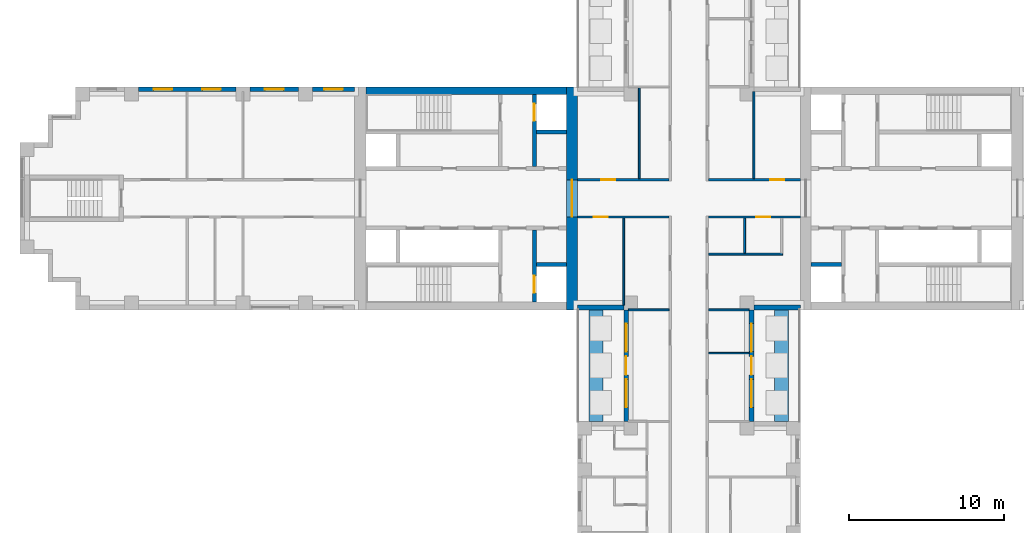
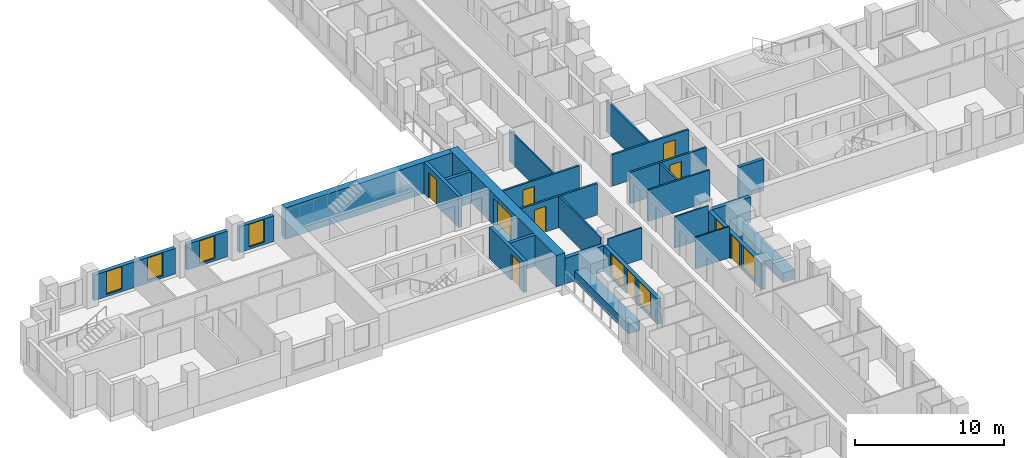
# One storey, part 7 of 15: 28 walls, 9 doors, 8 windows, 17 openings.
"""IFC4 building model written with IfcOpenShell, lengths in metres."""

from ifc_helpers import new_model, si_unit, direction, frame, frame_2d, origin, place, context, subcontext, project, spatial, rectangle, extrude, material, layer, layer_set, type_object, element, fill, save


model = new_model("IFC4")

# Units and contexts
model_context = context("Model", 3, precision=1e-05, world=origin(), true_north=direction((0.0, 1.0)))
body_context = subcontext(model_context, "Body", "Model", "MODEL_VIEW")
ifc_project = project(units=[si_unit("LENGTHUNIT", "METRE"), si_unit("AREAUNIT", "SQUARE_METRE"), si_unit("VOLUMEUNIT", "CUBIC_METRE"), si_unit("PLANEANGLEUNIT", "RADIAN"), si_unit("MASSUNIT", "GRAM", prefix="KILO")], contexts=[model_context])

# Site, building, storey
site_placement = place(None, origin())
site = spatial("IfcSite", under=ifc_project, at=site_placement, CompositionType="ELEMENT")
building_placement = place(site_placement, origin())
building = spatial("IfcBuilding", under=site, at=building_placement, Name="Fustian Cross Tower", CompositionType="ELEMENT")
storey_placement = place(building_placement, frame((0.0, 0.0, 14.699951171875)))
storey = spatial("IfcBuildingStorey", under=building, at=storey_placement, Name="L03", CompositionType="ELEMENT", Elevation=14.699951171875)

# Wall, opening, door
ifc_material_1 = material(Name="Plasterboard on steel stud", Category="steel")
ifc_layer_1 = layer(ifc_material_1, 0.14990234375)
ifc_layer_set_1 = layer_set([ifc_layer_1], Name="Plasterboard on steel stud")
wall_type_1 = type_object("IfcWallType", Name="COMPARTMENT WALL 150 EI 60", PredefinedType="PARTITIONING", material=ifc_layer_set_1)
wall_1_placement = place(storey_placement, frame((-7.199951171875, -1.199951171875, 0.0), z_axis=(0.0, 0.0, 1.0), x_axis=(1.0, 0.0, 0.0)))
wall_1 = element("IfcWall", 1, at=wall_1_placement, inside=storey, type_object=wall_type_1, Name="Partition 8", PredefinedType="PARTITIONING", context=body_context, shape_type="SweptSolid", body=[
    extrude(rectangle(XDim=5.925048828125, YDim=0.14990234375, at=frame_2d((2.96240234375, 0.0))), origin(), (0.0, 0.0, 1.0), 2.574951171875),
])
opening_1_placement = place(wall_1_placement, frame((1.050048828125, 0.0, 0.0)))
opening_1 = element("IfcOpeningElement", 2, at=opening_1_placement, cuts=wall_1, Name="Opening D04009", PredefinedType="OPENING", context=body_context, shape_type="SweptSolid", body=[
    extrude(rectangle(XDim=0.89990234375, YDim=2.10009765625, at=frame_2d((0.449951171875, 1.050048828125))), frame((0.0, 0.0849609375, 0.0), z_axis=(0.0, -1.0, 0.0), x_axis=(1.0, 0.0, 0.0)), (0.0, 0.0, 1.0), 0.169921875),
])
ifc_material_2 = material(Name="Timber fire door set", Category="wood")
door_type_1 = type_object("IfcDoorType", Name="FIRE SWING DOOR 900 FD30S", OperationType="SINGLE_SWING_LEFT", PredefinedType="DOOR", material=ifc_material_2)
door_1_placement = place(opening_1_placement, frame((0.89990234375, 0.0, 0.0), z_axis=(0.0, 0.0, 1.0), x_axis=(-1.0, 0.0, 0.0)))
door_1 = element("IfcDoor", 3, at=door_1_placement, inside=storey, type_object=door_type_1, Name="Door D04009", OperationType="SINGLE_SWING_LEFT", OverallHeight=2.10009765625, OverallWidth=0.89990234375, PredefinedType="DOOR", context=body_context, shape_type="SweptSolid", body=[
    extrude(rectangle(XDim=0.89990234375, YDim=2.10009765625, at=frame_2d((0.449951171875, 1.050048828125))), frame((0.0, 0.02490234375, 0.0), z_axis=(0.0, -1.0, 0.0), x_axis=(1.0, 0.0, 0.0)), (0.0, 0.0, 1.0), 0.050048828125),
])
fill(opening_1, door_1)

wall_2_placement = place(storey_placement, frame((-7.199951171875, 1.199951171875, 0.0), z_axis=(0.0, 0.0, 1.0), x_axis=(1.0, 0.0, 0.0)))
wall_2 = element("IfcWall", 4, at=wall_2_placement, inside=storey, type_object=wall_type_1, Name="Partition 9", PredefinedType="PARTITIONING", context=body_context, shape_type="SweptSolid", body=[
    extrude(rectangle(XDim=5.925048828125, YDim=0.14990234375, at=frame_2d((2.96240234375, 0.0))), origin(), (0.0, 0.0, 1.0), 2.574951171875),
])
opening_2_placement = place(wall_2_placement, frame((1.550048828125, 0.0, 0.0)))
opening_2 = element("IfcOpeningElement", 5, at=opening_2_placement, cuts=wall_2, Name="Opening D04004", PredefinedType="OPENING", context=body_context, shape_type="SweptSolid", body=[
    extrude(rectangle(XDim=0.89990234375, YDim=2.10009765625, at=frame_2d((0.449951171875, 1.050048828125))), frame((0.0, 0.0849609375, 0.0), z_axis=(0.0, -1.0, 0.0), x_axis=(1.0, 0.0, 0.0)), (0.0, 0.0, 1.0), 0.169921875),
])
door_2_placement = place(opening_2_placement, origin())
door_2 = element("IfcDoor", 6, at=door_2_placement, inside=storey, type_object=door_type_1, Name="Door D04004", OperationType="SINGLE_SWING_LEFT", OverallHeight=2.10009765625, OverallWidth=0.89990234375, PredefinedType="DOOR", context=body_context, shape_type="SweptSolid", body=[
    extrude(rectangle(XDim=0.89990234375, YDim=2.10009765625, at=frame_2d((0.449951171875, 1.050048828125))), frame((0.0, 0.02490234375, 0.0), z_axis=(0.0, -1.0, 0.0), x_axis=(1.0, 0.0, 0.0)), (0.0, 0.0, 1.0), 0.050048828125),
])
fill(opening_2, door_2)

wall_3_placement = place(storey_placement, frame((1.27490234375, -1.199951171875, 0.0), z_axis=(0.0, 0.0, 1.0), x_axis=(1.0, 0.0, 0.0)))
wall_3 = element("IfcWall", 7, at=wall_3_placement, inside=storey, type_object=wall_type_1, Name="Partition 63", PredefinedType="PARTITIONING", context=body_context, shape_type="SweptSolid", body=[
    extrude(rectangle(XDim=5.925048828125, YDim=0.14990234375, at=frame_2d((2.96240234375, 0.0))), origin(), (0.0, 0.0, 1.0), 2.574951171875),
])
opening_3_placement = place(wall_3_placement, frame((3.074951171875, 0.0, 0.0)))
opening_3 = element("IfcOpeningElement", 8, at=opening_3_placement, cuts=wall_3, Name="Opening D04006", PredefinedType="OPENING", context=body_context, shape_type="SweptSolid", body=[
    extrude(rectangle(XDim=0.89990234375, YDim=2.10009765625, at=frame_2d((0.449951171875, 1.050048828125))), frame((0.0, 0.0849609375, 0.0), z_axis=(0.0, -1.0, 0.0), x_axis=(1.0, 0.0, 0.0)), (0.0, 0.0, 1.0), 0.169921875),
])
door_3_placement = place(opening_3_placement, frame((0.89990234375, 0.0, 0.0), z_axis=(0.0, 0.0, 1.0), x_axis=(-1.0, 0.0, 0.0)))
door_3 = element("IfcDoor", 9, at=door_3_placement, inside=storey, type_object=door_type_1, Name="Door D04006", OperationType="SINGLE_SWING_RIGHT", OverallHeight=2.10009765625, OverallWidth=0.89990234375, PredefinedType="DOOR", context=body_context, shape_type="SweptSolid", body=[
    extrude(rectangle(XDim=0.89990234375, YDim=2.10009765625, at=frame_2d((0.449951171875, 1.050048828125))), frame((0.0, 0.02490234375, 0.0), z_axis=(0.0, -1.0, 0.0), x_axis=(1.0, 0.0, 0.0)), (0.0, 0.0, 1.0), 0.050048828125),
])
fill(opening_3, door_3)

wall_4_placement = place(storey_placement, frame((1.27490234375, 1.199951171875, 0.0), z_axis=(0.0, 0.0, 1.0), x_axis=(1.0, 0.0, 0.0)))
wall_4 = element("IfcWall", 10, at=wall_4_placement, inside=storey, type_object=wall_type_1, Name="Partition 65", PredefinedType="PARTITIONING", context=body_context, shape_type="SweptSolid", body=[
    extrude(rectangle(XDim=5.925048828125, YDim=0.14990234375, at=frame_2d((2.96240234375, 0.0))), origin(), (0.0, 0.0, 1.0), 2.574951171875),
])
opening_4_placement = place(wall_4_placement, frame((3.97509765625, 0.0, 0.0)))
opening_4 = element("IfcOpeningElement", 11, at=opening_4_placement, cuts=wall_4, Name="Opening D04002", PredefinedType="OPENING", context=body_context, shape_type="SweptSolid", body=[
    extrude(rectangle(XDim=0.89990234375, YDim=2.10009765625, at=frame_2d((0.449951171875, 1.050048828125))), frame((0.0, 0.0849609375, 0.0), z_axis=(0.0, -1.0, 0.0), x_axis=(1.0, 0.0, 0.0)), (0.0, 0.0, 1.0), 0.169921875),
])
door_4_placement = place(opening_4_placement, origin())
door_4 = element("IfcDoor", 12, at=door_4_placement, inside=storey, type_object=door_type_1, Name="Door D04002", OperationType="SINGLE_SWING_RIGHT", OverallHeight=2.10009765625, OverallWidth=0.89990234375, PredefinedType="DOOR", context=body_context, shape_type="SweptSolid", body=[
    extrude(rectangle(XDim=0.89990234375, YDim=2.10009765625, at=frame_2d((0.449951171875, 1.050048828125))), frame((0.0, 0.02490234375, 0.0), z_axis=(0.0, -1.0, 0.0), x_axis=(1.0, 0.0, 0.0)), (0.0, 0.0, 1.0), 0.050048828125),
])
fill(opening_4, door_4)

ifc_material_3 = material(Name="Concrete C80/95", Category="concrete")
ifc_layer_2 = layer(ifc_material_3, 0.699951171875)
ifc_layer_set_2 = layer_set([ifc_layer_2], Name="Concrete C80/95")
wall_type_2 = type_object("IfcWallType", Name="CORE END WALL 700 C80/95", PredefinedType="SHEAR", material=ifc_layer_set_2)
wall_5_placement = place(storey_placement, frame((-7.550048828125, -7.199951171875, 0.0), z_axis=(0.0, 0.0, 1.0), x_axis=(0.0, 1.0, 0.0)))
wall_5 = element("IfcWall", 13, at=wall_5_placement, inside=storey, type_object=wall_type_2, Name="Core end wall", PredefinedType="SHEAR", context=body_context, shape_type="SweptSolid", body=[
    extrude(rectangle(XDim=14.39990234375, YDim=0.699951171875, at=frame_2d((7.199951171875, 0.0))), origin(), (0.0, 0.0, 1.0), 2.574951171875),
])
opening_5_placement = place(wall_5_placement, frame((6.0, 0.0, 0.0)))
opening_5 = element("IfcOpeningElement", 14, at=opening_5_placement, cuts=wall_5, Name="Opening CD-04-26", PredefinedType="OPENING", context=body_context, shape_type="SweptSolid", body=[
    extrude(rectangle(XDim=2.39990234375, YDim=2.199951171875, at=frame_2d((1.199951171875, 1.10009765625))), frame((0.0, 0.35986328125, 0.0), z_axis=(0.0, -1.0, 0.0), x_axis=(1.0, 0.0, 0.0)), (0.0, 0.0, 1.0), 0.719970703125),
])
ifc_material_4 = material(Name="Steel", Category="steel")
door_type_2 = type_object("IfcDoorType", Name="FIRE DOOR FD30S DOUBLE 2400X2200", OperationType="DOUBLE_DOOR_DOUBLE_SWING", PredefinedType="DOOR", material=ifc_material_4)
door_5_placement = place(opening_5_placement, origin())
door_5 = element("IfcDoor", 15, at=door_5_placement, inside=storey, type_object=door_type_2, Name="Core door CD-04-26", OperationType="DOUBLE_DOOR_DOUBLE_SWING", OverallHeight=2.199951171875, OverallWidth=2.39990234375, PredefinedType="DOOR", context=body_context, shape_type="SweptSolid", body=[
    extrude(rectangle(XDim=2.39990234375, YDim=2.199951171875, at=frame_2d((1.199951171875, 1.10009765625))), frame((0.0, 0.02490234375, 0.0), z_axis=(0.0, -1.0, 0.0), x_axis=(1.0, 0.0, 0.0)), (0.0, 0.0, 1.0), 0.050048828125),
])
fill(opening_5, door_5)

# Walls
ifc_material_5 = material(Name="Concrete C80/95", Category="concrete")
ifc_layer_3 = layer(ifc_material_5, 0.5)
ifc_layer_set_3 = layer_set([ifc_layer_3], Name="Concrete C80/95")
wall_type_3 = type_object("IfcWallType", Name="CORE FACADE WALL 500 C80/95", PredefinedType="SHEAR", material=ifc_layer_set_3)
wall_6_placement = place(storey_placement, frame((-7.89990234375, 6.949951171875, 0.0), z_axis=(0.0, 0.0, 1.0), x_axis=(-1.0, 0.0, 0.0)))
element("IfcWall", 16, at=wall_6_placement, inside=storey, type_object=wall_type_3, Name="Core facade wall", PredefinedType="SHEAR", context=body_context, shape_type="SweptSolid", body=[
    extrude(rectangle(XDim=12.9501953125, YDim=0.5, at=frame_2d((6.47509765625, 0.0))), origin(), (0.0, 0.0, 1.0), 2.574951171875),
])
ifc_material_6 = material(Name="Concrete C50/60", Category="concrete")
ifc_layer_4 = layer(ifc_material_6, 0.25)
ifc_layer_set_4 = layer_set([ifc_layer_4], Name="Concrete C50/60")
wall_type_4 = type_object("IfcWallType", Name="CORE SHAFT WALL 250 C50/60", PredefinedType="SHEAR", material=ifc_layer_set_4)
for number, where, z_axis, x_axis, name in (
    (17, (7.89990234375, -4.27490234375, 0.0), (0.0, 0.0, 1.0), (1.0, 0.0, 0.0), "Core shaft wall"),
    (18, (-7.89990234375, 4.27490234375, 0.0), (0.0, 0.0, 1.0), (-1.0, 0.0, 0.0), "Core shaft wall"),
):
    element("IfcWall", number, at=place(storey_placement, frame(where, z_axis=z_axis, x_axis=x_axis)), inside=storey, type_object=wall_type_4, Name=name, PredefinedType="SHEAR", context=body_context, shape_type="SweptSolid", body=[
        extrude(rectangle(XDim=1.9501953125, YDim=0.25, at=frame_2d((0.97509765625, 0.0))), origin(), (0.0, 0.0, 1.0), 2.574951171875),
    ])

# Wall, opening, door
wall_7_placement = place(storey_placement, frame((-9.97509765625, 2.050048828125, 0.0), z_axis=(0.0, 0.0, 1.0), x_axis=(0.0, 1.0, 0.0)))
wall_7 = element("IfcWall", 19, at=wall_7_placement, inside=storey, type_object=wall_type_4, Name="Core shaft wall", PredefinedType="SHEAR", context=body_context, shape_type="SweptSolid", body=[
    extrude(rectangle(XDim=4.64990234375, YDim=0.25, at=frame_2d((2.324951171875, 0.0))), origin(), (0.0, 0.0, 1.0), 2.574951171875),
])
opening_6_placement = place(wall_7_placement, frame((2.949951171875, 0.0, 0.0)))
opening_6 = element("IfcOpeningElement", 20, at=opening_6_placement, cuts=wall_7, Name="Opening LD", PredefinedType="OPENING", context=body_context, shape_type="SweptSolid", body=[
    extrude(rectangle(XDim=1.10009765625, YDim=2.10009765625, at=frame_2d((0.550048828125, 1.050048828125))), frame((0.0, 0.135009765625, 0.0), z_axis=(0.0, -1.0, 0.0), x_axis=(1.0, 0.0, 0.0)), (0.0, 0.0, 1.0), 0.27001953125),
])
ifc_material_7 = material(Name="Stainless steel", Category="steel")
door_type_3 = type_object("IfcDoorType", Name="LIFT LANDING DOOR 1100X2100", OperationType="SLIDING_TO_LEFT", PredefinedType="DOOR", material=ifc_material_7)
door_6_placement = place(opening_6_placement, origin())
door_6 = element("IfcDoor", 21, at=door_6_placement, inside=storey, type_object=door_type_3, Name="Landing door FL1W", OperationType="SLIDING_TO_LEFT", OverallHeight=2.10009765625, OverallWidth=1.10009765625, PredefinedType="DOOR", context=body_context, shape_type="SweptSolid", body=[
    extrude(rectangle(XDim=1.10009765625, YDim=2.10009765625, at=frame_2d((0.550048828125, 1.050048828125))), frame((0.0, 0.02490234375, 0.0), z_axis=(0.0, -1.0, 0.0), x_axis=(1.0, 0.0, 0.0)), (0.0, 0.0, 1.0), 0.050048828125),
])
fill(opening_6, door_6)

# Wall
wall_8_placement = place(storey_placement, frame((-7.89990234375, -4.27490234375, 0.0), z_axis=(0.0, 0.0, 1.0), x_axis=(-1.0, 0.0, 0.0)))
element("IfcWall", 22, at=wall_8_placement, inside=storey, type_object=wall_type_4, Name="Core shaft wall", PredefinedType="SHEAR", context=body_context, shape_type="SweptSolid", body=[
    extrude(rectangle(XDim=1.9501953125, YDim=0.25, at=frame_2d((0.97509765625, 0.0))), origin(), (0.0, 0.0, 1.0), 2.574951171875),
])

# Wall, opening, door
wall_9_placement = place(storey_placement, frame((-9.97509765625, -2.050048828125, 0.0), z_axis=(0.0, 0.0, 1.0), x_axis=(0.0, -1.0, 0.0)))
wall_9 = element("IfcWall", 23, at=wall_9_placement, inside=storey, type_object=wall_type_4, Name="Core shaft wall", PredefinedType="SHEAR", context=body_context, shape_type="SweptSolid", body=[
    extrude(rectangle(XDim=4.64990234375, YDim=0.25, at=frame_2d((2.324951171875, 0.0))), origin(), (0.0, 0.0, 1.0), 2.574951171875),
])
opening_7_placement = place(wall_9_placement, frame((2.949951171875, 0.0, 0.0)))
opening_7 = element("IfcOpeningElement", 24, at=opening_7_placement, cuts=wall_9, Name="Opening LD", PredefinedType="OPENING", context=body_context, shape_type="SweptSolid", body=[
    extrude(rectangle(XDim=1.10009765625, YDim=2.10009765625, at=frame_2d((0.550048828125, 1.050048828125))), frame((0.0, 0.135009765625, 0.0), z_axis=(0.0, -1.0, 0.0), x_axis=(1.0, 0.0, 0.0)), (0.0, 0.0, 1.0), 0.27001953125),
])
door_7_placement = place(opening_7_placement, origin())
door_7 = element("IfcDoor", 25, at=door_7_placement, inside=storey, type_object=door_type_3, Name="Landing door SV1W", OperationType="SLIDING_TO_LEFT", OverallHeight=2.10009765625, OverallWidth=1.10009765625, PredefinedType="DOOR", context=body_context, shape_type="SweptSolid", body=[
    extrude(rectangle(XDim=1.10009765625, YDim=2.10009765625, at=frame_2d((0.550048828125, 1.050048828125))), frame((0.0, 0.02490234375, 0.0), z_axis=(0.0, -1.0, 0.0), x_axis=(1.0, 0.0, 0.0)), (0.0, 0.0, 1.0), 0.050048828125),
])
fill(opening_7, door_7)

# Walls
ifc_material_8 = material(Name="Plasterboard on steel stud", Category="steel")
ifc_layer_5 = layer(ifc_material_8, 0.10009765625)
ifc_layer_set_5 = layer_set([ifc_layer_5], Name="Plasterboard on steel stud")
wall_type_5 = type_object("IfcWallType", Name="PARTITION 100 STUD", PredefinedType="PARTITIONING", material=ifc_layer_set_5)
wall_10_placement = place(storey_placement, frame((-3.199951171875, 1.27490234375, 0.0), z_axis=(0.0, 0.0, 1.0), x_axis=(0.0, 1.0, 0.0)))
element("IfcWall", 26, at=wall_10_placement, inside=storey, type_object=wall_type_5, Name="Partition 49", PredefinedType="PARTITIONING", context=body_context, shape_type="SweptSolid", body=[
    extrude(rectangle(XDim=5.875, YDim=0.10009765625, at=frame_2d((2.9375, 0.0))), origin(), (0.0, 0.0, 1.0), 2.574951171875),
])
wall_11_placement = place(storey_placement, frame((1.27490234375, -10.0, 0.0), z_axis=(0.0, 0.0, 1.0), x_axis=(1.0, 0.0, 0.0)))
element("IfcWall", 27, at=wall_11_placement, inside=storey, type_object=wall_type_5, Name="Partition 60", PredefinedType="PARTITIONING", context=body_context, shape_type="SweptSolid", body=[
    extrude(rectangle(XDim=2.625, YDim=0.10009765625, at=frame_2d((1.3125, 0.0))), origin(), (0.0, 0.0, 1.0), 2.574951171875),
])
ifc_material_9 = material(Name="Concrete C40/50", Category="concrete")
ifc_layer_6 = layer(ifc_material_9, 0.89990234375)
ifc_layer_set_6 = layer_set([ifc_layer_6], Name="Concrete C40/50")
wall_type_6 = type_object("IfcWallType", Name="PK1 PLANTER 900", PredefinedType="PARAPET", material=ifc_layer_set_6)
for number, where, z_axis, x_axis, name in (
    (28, (6.0, -14.39990234375, 0.0), (0.0, 0.0, 1.0), (0.0, 1.0, 0.0), "PLANTER"),
    (29, (-6.0, -14.39990234375, 0.0), (0.0, 0.0, 1.0), (0.0, 1.0, 0.0), "PLANTER"),
):
    element("IfcWall", number, at=place(storey_placement, frame(where, z_axis=z_axis, x_axis=x_axis)), inside=storey, type_object=wall_type_6, Name=name, PredefinedType="PARAPET", context=body_context, shape_type="SweptSolid", body=[
        extrude(rectangle(XDim=7.199951171875, YDim=0.89990234375, at=frame_2d((3.60009765625, 0.0))), origin(), (0.0, 0.0, 1.0), 0.800048828125),
    ])
ifc_material_10 = material(Name="Plasterboard on steel stud", Category="steel")
ifc_layer_7 = layer(ifc_material_10, 0.125)
ifc_layer_set_7 = layer_set([ifc_layer_7], Name="Plasterboard on steel stud")
wall_type_7 = type_object("IfcWallType", Name="WET WALL 125 STUD", PredefinedType="PARTITIONING", material=ifc_layer_set_7)
wall_12_placement = place(storey_placement, frame((-4.199951171875, -6.89990234375, 0.0), z_axis=(0.0, 0.0, 1.0), x_axis=(0.0, 1.0, 0.0)))
element("IfcWall", 30, at=wall_12_placement, inside=storey, type_object=wall_type_7, Name="Partition 44", PredefinedType="PARTITIONING", context=body_context, shape_type="SweptSolid", body=[
    extrude(rectangle(XDim=5.625, YDim=0.125, at=frame_2d((2.8125, 0.0))), origin(), (0.0, 0.0, 1.0), 2.574951171875),
])
for number, where, z_axis, x_axis, name in (
    (31, (-3.89990234375, -7.199951171875, 0.0), (0.0, 0.0, 1.0), (1.0, 0.0, 0.0), "Partition 46"),
    (32, (1.27490234375, -7.199951171875, 0.0), (0.0, 0.0, 1.0), (1.0, 0.0, 0.0), "Partition 61"),
):
    element("IfcWall", number, at=place(storey_placement, frame(where, z_axis=z_axis, x_axis=x_axis)), inside=storey, type_object=wall_type_7, Name=name, PredefinedType="PARTITIONING", context=body_context, shape_type="SweptSolid", body=[
        extrude(rectangle(XDim=2.625, YDim=0.125, at=frame_2d((1.3125, 0.0))), origin(), (0.0, 0.0, 1.0), 2.574951171875),
    ])
wall_13_placement = place(storey_placement, frame((1.27490234375, -3.60009765625, 0.0), z_axis=(0.0, 0.0, 1.0), x_axis=(1.0, 0.0, 0.0)))
element("IfcWall", 33, at=wall_13_placement, inside=storey, type_object=wall_type_7, Name="Partition 62", PredefinedType="PARTITIONING", context=body_context, shape_type="SweptSolid", body=[
    extrude(rectangle(XDim=4.78759765625, YDim=0.125, at=frame_2d((2.393798828125, 0.0))), origin(), (0.0, 0.0, 1.0), 2.574951171875),
])
wall_14_placement = place(storey_placement, frame((3.60009765625, -3.53759765625, 0.0), z_axis=(0.0, 0.0, 1.0), x_axis=(0.0, 1.0, 0.0)))
element("IfcWall", 34, at=wall_14_placement, inside=storey, type_object=wall_type_7, Name="Partition 85", PredefinedType="PARTITIONING", context=body_context, shape_type="SweptSolid", body=[
    extrude(rectangle(XDim=2.2626953125, YDim=0.125, at=frame_2d((1.13134765625, 0.0))), origin(), (0.0, 0.0, 1.0), 2.574951171875),
])
wall_15_placement = place(storey_placement, frame((4.199951171875, 1.27490234375, 0.0), z_axis=(0.0, 0.0, 1.0), x_axis=(0.0, 1.0, 0.0)))
element("IfcWall", 35, at=wall_15_placement, inside=storey, type_object=wall_type_7, Name="Partition 86", PredefinedType="PARTITIONING", context=body_context, shape_type="SweptSolid", body=[
    extrude(rectangle(XDim=5.625, YDim=0.125, at=frame_2d((2.8125, 0.0))), origin(), (0.0, 0.0, 1.0), 2.574951171875),
])

# Wall, opening, window
ifc_material_11 = material(Name="Dark aluminium cladding on insulated backing wall", Category="aluminium")
ifc_layer_8 = layer(ifc_material_11, 0.300048828125)
ifc_layer_set_8 = layer_set([ifc_layer_8], Name="Dark aluminium cladding on insulated backing wall")
wall_type_8 = type_object("IfcWallType", Name="XW1 EXTERNAL WALL 300", PredefinedType="SOLIDWALL", material=ifc_layer_set_8)
wall_16_placement = place(storey_placement, frame((-21.60009765625, 7.050048828125, 0.0), z_axis=(0.0, 0.0, 1.0), x_axis=(-1.0, 0.0, 0.0)))
wall_16 = element("IfcWall", 36, at=wall_16_placement, inside=storey, type_object=wall_type_8, Name="External wall", PredefinedType="SOLIDWALL", context=body_context, shape_type="SweptSolid", body=[
    extrude(rectangle(XDim=2.699951171875, YDim=0.300048828125, at=frame_2d((1.35009765625, 0.0))), origin(), (0.0, 0.0, 1.0), 2.10009765625),
])
opening_8_placement = place(wall_16_placement, frame((0.75, 0.0, 0.199951171875)))
opening_8 = element("IfcOpeningElement", 37, at=opening_8_placement, cuts=wall_16, Name="Opening WN3", PredefinedType="OPENING", context=body_context, shape_type="SweptSolid", body=[
    extrude(rectangle(XDim=1.199951171875, YDim=1.85009765625, at=frame_2d((0.60009765625, 0.925048828125))), frame((0.0, 0.159912109375, 0.0), z_axis=(0.0, -1.0, 0.0), x_axis=(1.0, 0.0, 0.0)), (0.0, 0.0, 1.0), 0.320068359375),
])
ifc_material_12 = material(Name="Dark anodised aluminium and double glazing", Category="aluminium")
window_type_1 = type_object("IfcWindowType", Name="WN3 WINDOW 1200X1850", PartitioningType="SINGLE_PANEL", PredefinedType="WINDOW", material=ifc_material_12)
window_1_placement = place(opening_8_placement, origin())
window_1 = element("IfcWindow", 38, at=window_1_placement, inside=storey, type_object=window_type_1, Name="Window", OverallHeight=1.85009765625, OverallWidth=1.199951171875, PartitioningType="SINGLE_PANEL", PredefinedType="WINDOW", context=body_context, shape_type="SweptSolid", body=[
    extrude(rectangle(XDim=1.199951171875, YDim=1.85009765625, at=frame_2d((0.60009765625, 0.925048828125))), frame((0.0, 0.030029296875, 0.0), z_axis=(0.0, -1.0, 0.0), x_axis=(1.0, 0.0, 0.0)), (0.0, 0.0, 1.0), 0.06005859375),
])
fill(opening_8, window_1)

wall_17_placement = place(storey_placement, frame((-25.199951171875, 7.050048828125, 0.0), z_axis=(0.0, 0.0, 1.0), x_axis=(-1.0, 0.0, 0.0)))
wall_17 = element("IfcWall", 39, at=wall_17_placement, inside=storey, type_object=wall_type_8, Name="External wall", PredefinedType="SOLIDWALL", context=body_context, shape_type="SweptSolid", body=[
    extrude(rectangle(XDim=3.150146484375, YDim=0.300048828125, at=frame_2d((1.5751953125, 0.0))), origin(), (0.0, 0.0, 1.0), 2.10009765625),
])
opening_9_placement = place(wall_17_placement, frame((0.97509765625, 0.0, 0.199951171875)))
opening_9 = element("IfcOpeningElement", 40, at=opening_9_placement, cuts=wall_17, Name="Opening WN3", PredefinedType="OPENING", context=body_context, shape_type="SweptSolid", body=[
    extrude(rectangle(XDim=1.199951171875, YDim=1.85009765625, at=frame_2d((0.60009765625, 0.925048828125))), frame((0.0, 0.159912109375, 0.0), z_axis=(0.0, -1.0, 0.0), x_axis=(1.0, 0.0, 0.0)), (0.0, 0.0, 1.0), 0.320068359375),
])
window_2_placement = place(opening_9_placement, origin())
window_2 = element("IfcWindow", 41, at=window_2_placement, inside=storey, type_object=window_type_1, Name="Window", OverallHeight=1.85009765625, OverallWidth=1.199951171875, PartitioningType="SINGLE_PANEL", PredefinedType="WINDOW", context=body_context, shape_type="SweptSolid", body=[
    extrude(rectangle(XDim=1.199951171875, YDim=1.85009765625, at=frame_2d((0.60009765625, 0.925048828125))), frame((0.0, 0.030029296875, 0.0), z_axis=(0.0, -1.0, 0.0), x_axis=(1.0, 0.0, 0.0)), (0.0, 0.0, 1.0), 0.06005859375),
])
fill(opening_9, window_2)

# Wall, openings, windows
wall_18_placement = place(storey_placement, frame((-29.25, 7.050048828125, 0.0), z_axis=(0.0, 0.0, 1.0), x_axis=(-1.0, 0.0, 0.0)))
wall_18 = element("IfcWall", 42, at=wall_18_placement, inside=storey, type_object=wall_type_8, Name="External wall", PredefinedType="SOLIDWALL", context=body_context, shape_type="SweptSolid", body=[
    extrude(rectangle(XDim=6.300048828125, YDim=0.300048828125, at=frame_2d((3.14990234375, 0.0))), origin(), (0.0, 0.0, 1.0), 2.10009765625),
])
opening_10_placement = place(wall_18_placement, frame((0.97509765625, 0.0, 0.199951171875)))
opening_10 = element("IfcOpeningElement", 43, at=opening_10_placement, cuts=wall_18, Name="Opening WN3", PredefinedType="OPENING", context=body_context, shape_type="SweptSolid", body=[
    extrude(rectangle(XDim=1.199951171875, YDim=1.85009765625, at=frame_2d((0.60009765625, 0.925048828125))), frame((0.0, 0.159912109375, 0.0), z_axis=(0.0, -1.0, 0.0), x_axis=(1.0, 0.0, 0.0)), (0.0, 0.0, 1.0), 0.320068359375),
])
opening_11_placement = place(wall_18_placement, frame((4.125, 0.0, 0.199951171875)))
opening_11 = element("IfcOpeningElement", 44, at=opening_11_placement, cuts=wall_18, Name="Opening WN3", PredefinedType="OPENING", context=body_context, shape_type="SweptSolid", body=[
    extrude(rectangle(XDim=1.199951171875, YDim=1.85009765625, at=frame_2d((0.60009765625, 0.925048828125))), frame((0.0, 0.159912109375, 0.0), z_axis=(0.0, -1.0, 0.0), x_axis=(1.0, 0.0, 0.0)), (0.0, 0.0, 1.0), 0.320068359375),
])
window_3_placement = place(opening_10_placement, origin())
window_3 = element("IfcWindow", 45, at=window_3_placement, inside=storey, type_object=window_type_1, Name="Window", OverallHeight=1.85009765625, OverallWidth=1.199951171875, PartitioningType="SINGLE_PANEL", PredefinedType="WINDOW", context=body_context, shape_type="SweptSolid", body=[
    extrude(rectangle(XDim=1.199951171875, YDim=1.85009765625, at=frame_2d((0.60009765625, 0.925048828125))), frame((0.0, 0.030029296875, 0.0), z_axis=(0.0, -1.0, 0.0), x_axis=(1.0, 0.0, 0.0)), (0.0, 0.0, 1.0), 0.06005859375),
])
fill(opening_10, window_3)
window_4_placement = place(opening_11_placement, origin())
window_4 = element("IfcWindow", 46, at=window_4_placement, inside=storey, type_object=window_type_1, Name="Window", OverallHeight=1.85009765625, OverallWidth=1.199951171875, PartitioningType="SINGLE_PANEL", PredefinedType="WINDOW", context=body_context, shape_type="SweptSolid", body=[
    extrude(rectangle(XDim=1.199951171875, YDim=1.85009765625, at=frame_2d((0.60009765625, 0.925048828125))), frame((0.0, 0.030029296875, 0.0), z_axis=(0.0, -1.0, 0.0), x_axis=(1.0, 0.0, 0.0)), (0.0, 0.0, 1.0), 0.06005859375),
])
fill(opening_11, window_4)

# Wall
wall_19_placement = place(storey_placement, frame((-7.199951171875, -7.050048828125, 0.0), z_axis=(0.0, 0.0, 1.0), x_axis=(1.0, 0.0, 0.0)))
element("IfcWall", 47, at=wall_19_placement, inside=storey, type_object=wall_type_8, Name="External wall", PredefinedType="SOLIDWALL", context=body_context, shape_type="SweptSolid", body=[
    extrude(rectangle(XDim=3.0, YDim=0.300048828125, at=frame_2d((1.5, 0.0))), origin(), (0.0, 0.0, 1.0), 2.10009765625),
])

# Wall, openings, door, windows
wall_20_placement = place(storey_placement, frame((-4.050048828125, -7.199951171875, 0.0), z_axis=(0.0, 0.0, 1.0), x_axis=(0.0, -1.0, 0.0)))
wall_20 = element("IfcWall", 48, at=wall_20_placement, inside=storey, type_object=wall_type_8, Name="External wall", PredefinedType="SOLIDWALL", context=body_context, shape_type="SweptSolid", body=[
    extrude(rectangle(XDim=7.199951171875, YDim=0.300048828125, at=frame_2d((3.60009765625, 0.0))), origin(), (0.0, 0.0, 1.0), 2.10009765625),
])
opening_12_placement = place(wall_20_placement, frame((3.0, 0.0, 0.0)))
opening_12 = element("IfcOpeningElement", 49, at=opening_12_placement, cuts=wall_20, Name="Opening XD4", PredefinedType="OPENING", context=body_context, shape_type="SweptSolid", body=[
    extrude(rectangle(XDim=1.199951171875, YDim=2.050048828125, at=frame_2d((0.60009765625, 1.02490234375))), frame((0.0, 0.159912109375, 0.0), z_axis=(0.0, -1.0, 0.0), x_axis=(1.0, 0.0, 0.0)), (0.0, 0.0, 1.0), 0.320068359375),
])
opening_13_placement = place(wall_20_placement, frame((0.89990234375, 0.0, 0.199951171875)))
opening_13 = element("IfcOpeningElement", 50, at=opening_13_placement, cuts=wall_20, Name="Opening WN2", PredefinedType="OPENING", context=body_context, shape_type="SweptSolid", body=[
    extrude(rectangle(XDim=1.800048828125, YDim=1.85009765625, at=frame_2d((0.89990234375, 0.925048828125))), frame((0.0, 0.159912109375, 0.0), z_axis=(0.0, -1.0, 0.0), x_axis=(1.0, 0.0, 0.0)), (0.0, 0.0, 1.0), 0.320068359375),
])
opening_14_placement = place(wall_20_placement, frame((4.5, 0.0, 0.199951171875)))
opening_14 = element("IfcOpeningElement", 51, at=opening_14_placement, cuts=wall_20, Name="Opening WN2", PredefinedType="OPENING", context=body_context, shape_type="SweptSolid", body=[
    extrude(rectangle(XDim=1.800048828125, YDim=1.85009765625, at=frame_2d((0.89990234375, 0.925048828125))), frame((0.0, 0.159912109375, 0.0), z_axis=(0.0, -1.0, 0.0), x_axis=(1.0, 0.0, 0.0)), (0.0, 0.0, 1.0), 0.320068359375),
])
ifc_material_13 = material(Name="Dark anodised aluminium and double glazing", Category="aluminium")
door_type_4 = type_object("IfcDoorType", Name="ED1 BALCONY DOOR 1200X2050", OperationType="SINGLE_SWING_LEFT", PredefinedType="DOOR", material=ifc_material_13)
door_8_placement = place(opening_12_placement, origin())
door_8 = element("IfcDoor", 52, at=door_8_placement, inside=storey, type_object=door_type_4, Name="Balcony door", OperationType="SINGLE_SWING_LEFT", OverallHeight=2.050048828125, OverallWidth=1.199951171875, PredefinedType="DOOR", context=body_context, shape_type="SweptSolid", body=[
    extrude(rectangle(XDim=1.199951171875, YDim=2.050048828125, at=frame_2d((0.60009765625, 1.02490234375))), frame((0.0, 0.02490234375, 0.0), z_axis=(0.0, -1.0, 0.0), x_axis=(1.0, 0.0, 0.0)), (0.0, 0.0, 1.0), 0.050048828125),
])
fill(opening_12, door_8)
ifc_material_14 = material(Name="Dark anodised aluminium and double glazing", Category="aluminium")
window_type_2 = type_object("IfcWindowType", Name="WN2 WINDOW 1800X1850", PartitioningType="SINGLE_PANEL", PredefinedType="WINDOW", material=ifc_material_14)
window_5_placement = place(opening_13_placement, origin())
window_5 = element("IfcWindow", 53, at=window_5_placement, inside=storey, type_object=window_type_2, Name="Window", OverallHeight=1.85009765625, OverallWidth=1.800048828125, PartitioningType="SINGLE_PANEL", PredefinedType="WINDOW", context=body_context, shape_type="SweptSolid", body=[
    extrude(rectangle(XDim=1.800048828125, YDim=1.85009765625, at=frame_2d((0.89990234375, 0.925048828125))), frame((0.0, 0.030029296875, 0.0), z_axis=(0.0, -1.0, 0.0), x_axis=(1.0, 0.0, 0.0)), (0.0, 0.0, 1.0), 0.06005859375),
])
fill(opening_13, window_5)
window_6_placement = place(opening_14_placement, origin())
window_6 = element("IfcWindow", 54, at=window_6_placement, inside=storey, type_object=window_type_2, Name="Window", OverallHeight=1.85009765625, OverallWidth=1.800048828125, PartitioningType="SINGLE_PANEL", PredefinedType="WINDOW", context=body_context, shape_type="SweptSolid", body=[
    extrude(rectangle(XDim=1.800048828125, YDim=1.85009765625, at=frame_2d((0.89990234375, 0.925048828125))), frame((0.0, 0.030029296875, 0.0), z_axis=(0.0, -1.0, 0.0), x_axis=(1.0, 0.0, 0.0)), (0.0, 0.0, 1.0), 0.06005859375),
])
fill(opening_14, window_6)

wall_21_placement = place(storey_placement, frame((4.050048828125, -14.39990234375, 0.0), z_axis=(0.0, 0.0, 1.0), x_axis=(0.0, 1.0, 0.0)))
wall_21 = element("IfcWall", 55, at=wall_21_placement, inside=storey, type_object=wall_type_8, Name="External wall", PredefinedType="SOLIDWALL", context=body_context, shape_type="SweptSolid", body=[
    extrude(rectangle(XDim=7.199951171875, YDim=0.300048828125, at=frame_2d((3.60009765625, 0.0))), origin(), (0.0, 0.0, 1.0), 2.10009765625),
])
opening_15_placement = place(wall_21_placement, frame((3.0, 0.0, 0.0)))
opening_15 = element("IfcOpeningElement", 56, at=opening_15_placement, cuts=wall_21, Name="Opening XD3", PredefinedType="OPENING", context=body_context, shape_type="SweptSolid", body=[
    extrude(rectangle(XDim=1.199951171875, YDim=2.050048828125, at=frame_2d((0.60009765625, 1.02490234375))), frame((0.0, 0.159912109375, 0.0), z_axis=(0.0, -1.0, 0.0), x_axis=(1.0, 0.0, 0.0)), (0.0, 0.0, 1.0), 0.320068359375),
])
opening_16_placement = place(wall_21_placement, frame((0.89990234375, 0.0, 0.199951171875)))
opening_16 = element("IfcOpeningElement", 57, at=opening_16_placement, cuts=wall_21, Name="Opening WN2", PredefinedType="OPENING", context=body_context, shape_type="SweptSolid", body=[
    extrude(rectangle(XDim=1.800048828125, YDim=1.85009765625, at=frame_2d((0.89990234375, 0.925048828125))), frame((0.0, 0.159912109375, 0.0), z_axis=(0.0, -1.0, 0.0), x_axis=(1.0, 0.0, 0.0)), (0.0, 0.0, 1.0), 0.320068359375),
])
opening_17_placement = place(wall_21_placement, frame((4.5, 0.0, 0.199951171875)))
opening_17 = element("IfcOpeningElement", 58, at=opening_17_placement, cuts=wall_21, Name="Opening WN2", PredefinedType="OPENING", context=body_context, shape_type="SweptSolid", body=[
    extrude(rectangle(XDim=1.800048828125, YDim=1.85009765625, at=frame_2d((0.89990234375, 0.925048828125))), frame((0.0, 0.159912109375, 0.0), z_axis=(0.0, -1.0, 0.0), x_axis=(1.0, 0.0, 0.0)), (0.0, 0.0, 1.0), 0.320068359375),
])
door_9_placement = place(opening_15_placement, origin())
door_9 = element("IfcDoor", 59, at=door_9_placement, inside=storey, type_object=door_type_4, Name="Balcony door", OperationType="SINGLE_SWING_LEFT", OverallHeight=2.050048828125, OverallWidth=1.199951171875, PredefinedType="DOOR", context=body_context, shape_type="SweptSolid", body=[
    extrude(rectangle(XDim=1.199951171875, YDim=2.050048828125, at=frame_2d((0.60009765625, 1.02490234375))), frame((0.0, 0.02490234375, 0.0), z_axis=(0.0, -1.0, 0.0), x_axis=(1.0, 0.0, 0.0)), (0.0, 0.0, 1.0), 0.050048828125),
])
fill(opening_15, door_9)
window_7_placement = place(opening_16_placement, origin())
window_7 = element("IfcWindow", 60, at=window_7_placement, inside=storey, type_object=window_type_2, Name="Window", OverallHeight=1.85009765625, OverallWidth=1.800048828125, PartitioningType="SINGLE_PANEL", PredefinedType="WINDOW", context=body_context, shape_type="SweptSolid", body=[
    extrude(rectangle(XDim=1.800048828125, YDim=1.85009765625, at=frame_2d((0.89990234375, 0.925048828125))), frame((0.0, 0.030029296875, 0.0), z_axis=(0.0, -1.0, 0.0), x_axis=(1.0, 0.0, 0.0)), (0.0, 0.0, 1.0), 0.06005859375),
])
fill(opening_16, window_7)
window_8_placement = place(opening_17_placement, origin())
window_8 = element("IfcWindow", 61, at=window_8_placement, inside=storey, type_object=window_type_2, Name="Window", OverallHeight=1.85009765625, OverallWidth=1.800048828125, PartitioningType="SINGLE_PANEL", PredefinedType="WINDOW", context=body_context, shape_type="SweptSolid", body=[
    extrude(rectangle(XDim=1.800048828125, YDim=1.85009765625, at=frame_2d((0.89990234375, 0.925048828125))), frame((0.0, 0.030029296875, 0.0), z_axis=(0.0, -1.0, 0.0), x_axis=(1.0, 0.0, 0.0)), (0.0, 0.0, 1.0), 0.06005859375),
])
fill(opening_17, window_8)

# Wall
wall_22_placement = place(storey_placement, frame((4.199951171875, -7.050048828125, 0.0), z_axis=(0.0, 0.0, 1.0), x_axis=(1.0, 0.0, 0.0)))
element("IfcWall", 62, at=wall_22_placement, inside=storey, type_object=wall_type_8, Name="External wall", PredefinedType="SOLIDWALL", context=body_context, shape_type="SweptSolid", body=[
    extrude(rectangle(XDim=3.0, YDim=0.300048828125, at=frame_2d((1.5, 0.0))), origin(), (0.0, 0.0, 1.0), 2.10009765625),
])

save(model, "model.ifc")
